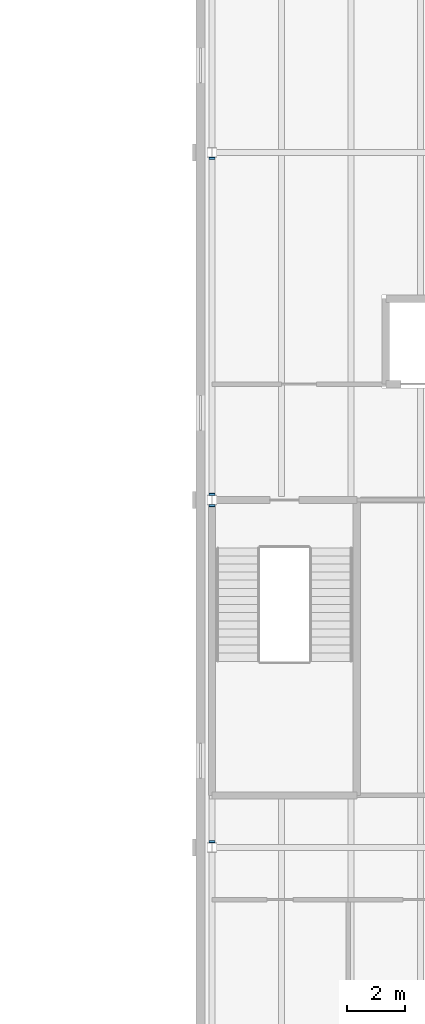
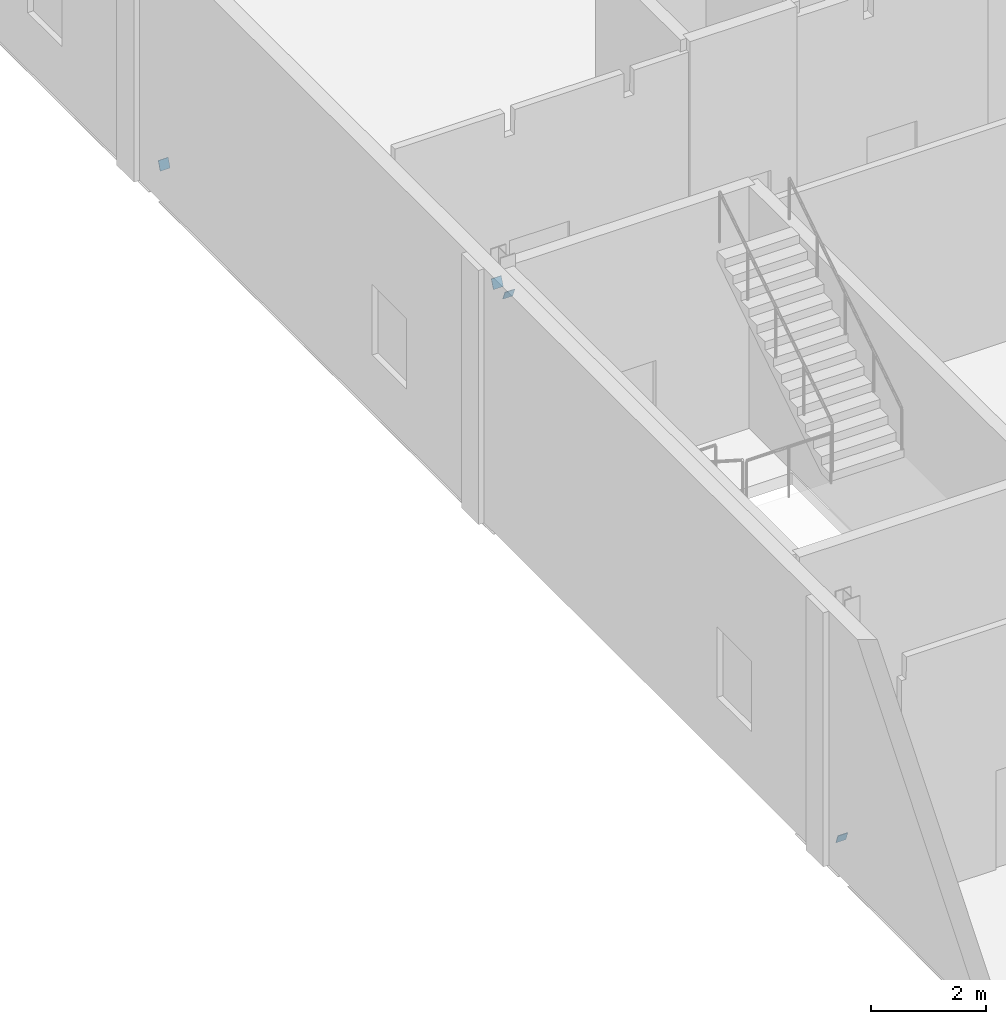
# One storey, part 283 of 321: 4 discrete accessories.
"""IFC4 building model written with IfcOpenShell, lengths in metres."""

from ifc_helpers import new_model, si_unit, direction, frame, origin, origin_2d, place, context, subcontext, project, spatial, rectangle, extrude, material, material_profile, profile_set, type_object, element, save


model = new_model("IFC4")

# Units and contexts
model_context = context("Model", 3, precision=1e-05, world=origin(), true_north=direction((0.0, 1.0)))
body_context = subcontext(model_context, "Body", "Model", "MODEL_VIEW")
ifc_project = project(units=[si_unit("LENGTHUNIT", "METRE"), si_unit("AREAUNIT", "SQUARE_METRE"), si_unit("VOLUMEUNIT", "CUBIC_METRE"), si_unit("PLANEANGLEUNIT", "RADIAN"), si_unit("MASSUNIT", "GRAM", prefix="KILO")], contexts=[model_context])

# Site, building, storey
site_placement = place(None, origin())
site = spatial("IfcSite", under=ifc_project, at=site_placement, CompositionType="ELEMENT")
building_placement = place(site_placement, origin())
building = spatial("IfcBuilding", under=site, at=building_placement, Name="Ravi Spectrum Wholesale Market", CompositionType="ELEMENT")
storey_placement = place(building_placement, frame((0.0, 0.0, 10.800048828125)))
storey = spatial("IfcBuildingStorey", under=building, at=storey_placement, Name="L02", CompositionType="ELEMENT", Elevation=10.800048828125)

# Discrete accessories
ifc_material = material(Name="Steel S355", Category="steel")
ifc_material_profile = material_profile(ifc_material, rectangle(XDim=0.199951171875, YDim=0.199951171875, at=origin_2d()))
ifc_profile_set = profile_set([ifc_material_profile], Name="Steel S355")
discrete_accessory_type = type_object("IfcDiscreteAccessoryType", Name="End plate SHS 200x200x8", PredefinedType="BRACKET", material=ifc_profile_set)
for number, where, z_axis, x_axis, name in (
    (1, (198.0, 30.206298828125, 0.093017578125), (0.0, -0.937994498829, -0.346650140872), (1.0, 0.0, 0.0), "End plate"),
    (2, (198.0, 41.793701171875, 4.606689453125), (0.0, 0.931242779706, 0.364399348581), (-1.0, 0.0, 0.0), "End plate"),
    (3, (198.0, 42.206298828125, 4.606689453125), (0.0, -0.931242779706, 0.364399348581), (1.0, 0.0, 0.0), "End plate"),
    (4, (198.0, 53.793701171875, 0.093017578125), (0.0, 0.937994498829, -0.346650140872), (-1.0, 0.0, 0.0), "End plate"),
):
    element("IfcDiscreteAccessory", number, at=place(storey_placement, frame(where, z_axis=z_axis, x_axis=x_axis)), inside=storey, type_object=discrete_accessory_type, Name=name, PredefinedType="BRACKET", context=body_context, shape_type="SweptSolid", body=[
        extrude(rectangle(XDim=0.199951171875, YDim=0.199951171875, at=origin_2d()), origin(), (0.0, 0.0, 1.0), 0.011962890625),
    ])

save(model, "model.ifc")
